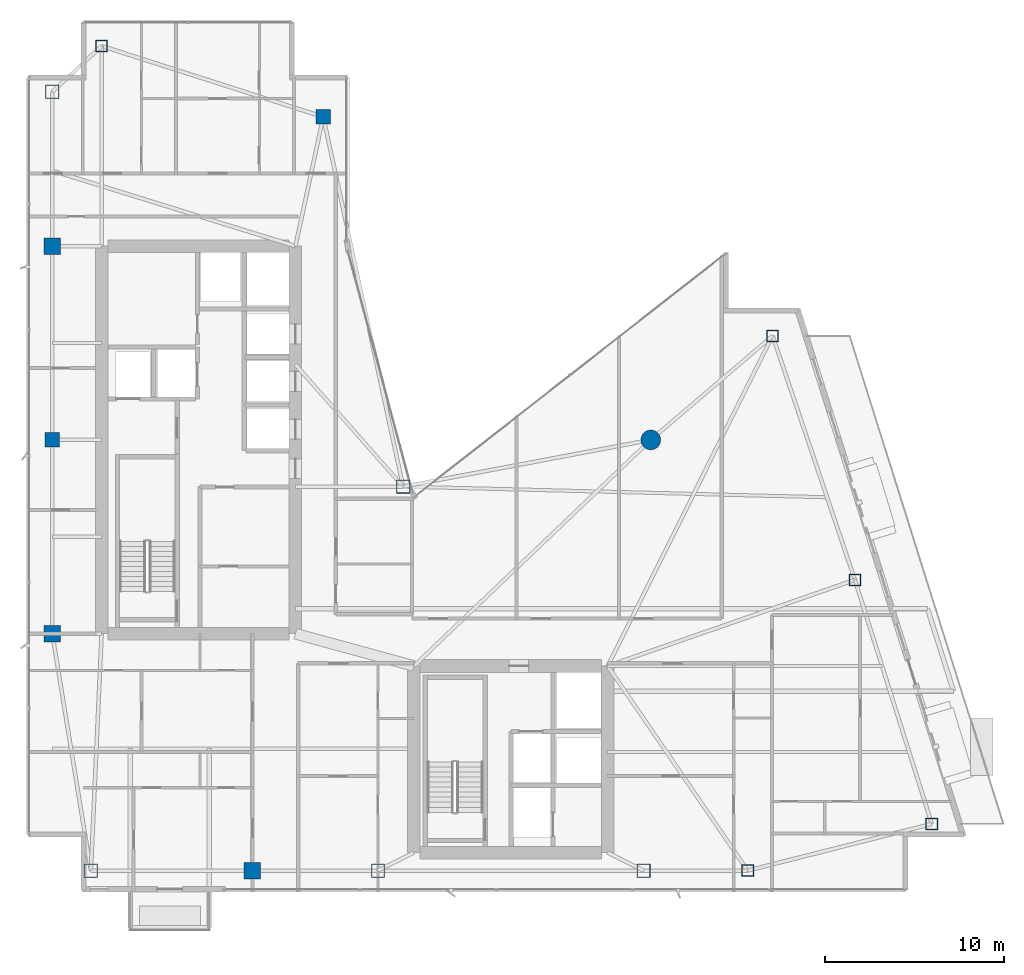
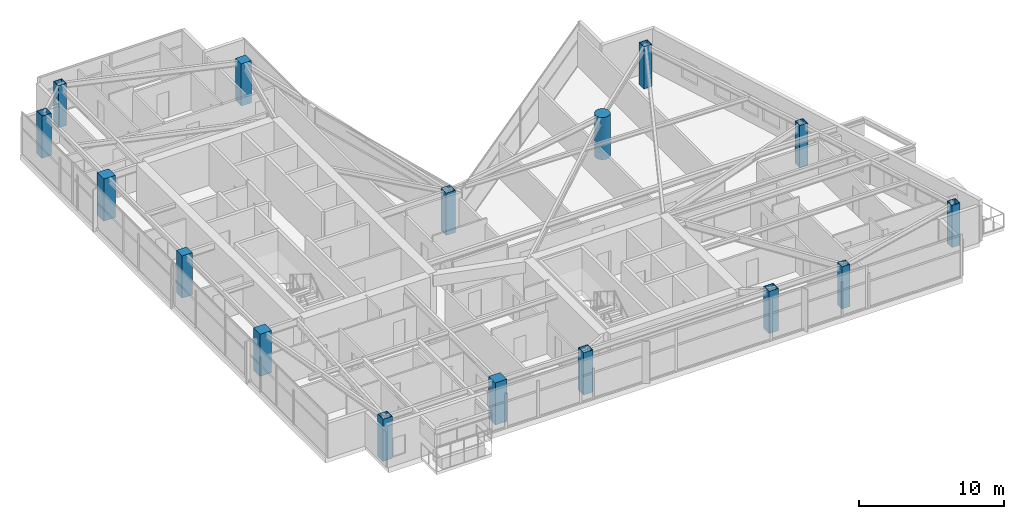
# One storey, part 1 of 29: 16 columns.
"""IFC4 building model written with IfcOpenShell, lengths in metres."""

from ifc_helpers import new_model, si_unit, direction, frame, origin, origin_2d, place, context, subcontext, project, spatial, rectangle, hollow_rectangle, circle, extrude, material, material_profile, profile_set, type_object, element, save


model = new_model("IFC4")

# Units and contexts
model_context = context("Model", 3, precision=1e-05, world=origin(), true_north=direction((0.0, 1.0)))
body_context = subcontext(model_context, "Body", "Model", "MODEL_VIEW")
ifc_project = project(units=[si_unit("LENGTHUNIT", "METRE"), si_unit("AREAUNIT", "SQUARE_METRE"), si_unit("VOLUMEUNIT", "CUBIC_METRE"), si_unit("PLANEANGLEUNIT", "RADIAN"), si_unit("MASSUNIT", "GRAM", prefix="KILO")], contexts=[model_context])

# Site, building, storey
site_placement = place(None, origin())
site = spatial("IfcSite", under=ifc_project, at=site_placement, CompositionType="ELEMENT")
building_placement = place(site_placement, origin())
building = spatial("IfcBuilding", under=site, at=building_placement, Name="Calvorn Quay Hotel", CompositionType="ELEMENT")
storey_placement = place(building_placement, frame((0.0, 0.0, 199.60009765625)))
storey = spatial("IfcBuildingStorey", under=building, at=storey_placement, Name="L49", CompositionType="ELEMENT", Elevation=199.60009765625)

# Columns
ifc_material_1 = material(Name="Concrete C45", Category="concrete")
ifc_material_profile_1 = material_profile(ifc_material_1, rectangle(XDim=0.800048828125, YDim=0.800048828125, at=origin_2d()), Name="RC800x800")
ifc_profile_set_1 = profile_set([ifc_material_profile_1], Name="Concrete C45")
column_type_1 = type_object("IfcColumnType", Name="COL-RC-800", PredefinedType="COLUMN", material=ifc_profile_set_1)
for number, where, z_axis, x_axis, name in (
    (1, (1.449951171875, 27.60009765625, 0.0), (0.0, 0.0, 1.0), (1.0, 0.0, 0.0), "Column C-W3 (L49)"),
    (2, (16.550048828125, 45.60009765625, 0.0), (0.0, 0.0, 1.0), (1.0, 0.0, 0.0), "Column C-IC1 (L49)"),
):
    element("IfcColumn", number, at=place(storey_placement, frame(where, z_axis=z_axis, x_axis=x_axis)), inside=storey, type_object=column_type_1, Name=name, PredefinedType="COLUMN", context=body_context, shape_type="SweptSolid", body=[
        extrude(rectangle(XDim=0.800048828125, YDim=0.800048828125, at=origin_2d()), origin(), (0.0, 0.0, 1.0), 3.559814453125),
    ])
ifc_material_2 = material(Name="Concrete C45", Category="concrete")
ifc_material_profile_2 = material_profile(ifc_material_2, rectangle(XDim=0.919921875, YDim=0.919921875, at=origin_2d()), Name="RC920x920")
ifc_profile_set_2 = profile_set([ifc_material_profile_2], Name="Concrete C45")
column_type_2 = type_object("IfcColumnType", Name="COL-RC-920", PredefinedType="COLUMN", material=ifc_profile_set_2)
for number, where, z_axis, x_axis, name in (
    (3, (1.449951171875, 16.800048828125, 0.0), (0.0, 0.0, 1.0), (1.0, 0.0, 0.0), "Column C-W2 (L49)"),
    (4, (1.449951171875, 38.39990234375, 0.0), (0.0, 0.0, 1.0), (1.0, 0.0, 0.0), "Column C-W4 (L49)"),
    (5, (12.60009765625, 3.60009765625, 0.0), (0.0, 0.0, 1.0), (1.0, 0.0, 0.0), "Column C-S1 (L49)"),
):
    element("IfcColumn", number, at=place(storey_placement, frame(where, z_axis=z_axis, x_axis=x_axis)), inside=storey, type_object=column_type_2, Name=name, PredefinedType="COLUMN", context=body_context, shape_type="SweptSolid", body=[
        extrude(rectangle(XDim=0.919921875, YDim=0.919921875, at=origin_2d()), origin(), (0.0, 0.0, 1.0), 3.559814453125),
    ])
ifc_material_3 = material(Name="Concrete C50", Category="concrete")
ifc_material_profile_3 = material_profile(ifc_material_3, circle(Radius=0.550048828125, at=origin_2d()), Name="RCD1100")
ifc_profile_set_3 = profile_set([ifc_material_profile_3], Name="Concrete C50")
column_type_3 = type_object("IfcColumnType", Name="COL-RC-D1100", PredefinedType="COLUMN", material=ifc_profile_set_3)
column_placement = place(storey_placement, frame((34.800048828125, 27.60009765625, 0.0), z_axis=(0.0, 0.0, 1.0), x_axis=(1.0, 0.0, 0.0)))
element("IfcColumn", 6, at=column_placement, inside=storey, type_object=column_type_3, Name="Column C-NC1 (L49)", PredefinedType="COLUMN", context=body_context, shape_type="SweptSolid", body=[
    extrude(circle(Radius=0.550048828125, at=origin_2d()), origin(), (0.0, 0.0, 1.0), 3.559814453125),
])
ifc_material_4 = material(Name="Steel Q390GJC", Category="steel")
ifc_material_profile_4 = material_profile(ifc_material_4, hollow_rectangle(XDim=0.75, YDim=0.75, WallThickness=0.031982421875, at=origin_2d()), Name="BOX750x750x32")
ifc_profile_set_4 = profile_set([ifc_material_profile_4], Name="Steel Q390GJC")
column_type_4 = type_object("IfcColumnType", Name="COL-STL-Z3", PredefinedType="COLUMN", material=ifc_profile_set_4)
for number, where, z_axis, x_axis, name in (
    (7, (3.60009765625, 3.60009765625, 0.0), (0.0, 0.0, 1.0), (1.0, 0.0, 0.0), "Column C-W1 (L49)"),
    (8, (1.449951171875, 47.0, 0.0), (0.0, 0.0, 1.0), (1.0, 0.0, 0.0), "Column C-W5 (L49)"),
    (9, (21.0, 25.0, 0.0), (0.0, 0.0, 1.0), (1.0, 0.0, 0.0), "Column C-IC2 (L49)"),
    (10, (19.60009765625, 3.60009765625, 0.0), (0.0, 0.0, 1.0), (1.0, 0.0, 0.0), "Column C-S2 (L49)"),
    (11, (34.39990234375, 3.60009765625, 0.0), (0.0, 0.0, 1.0), (1.0, 0.0, 0.0), "Column C-S3 (L49)"),
):
    element("IfcColumn", number, at=place(storey_placement, frame(where, z_axis=z_axis, x_axis=x_axis)), inside=storey, type_object=column_type_4, Name=name, PredefinedType="COLUMN", context=body_context, shape_type="SweptSolid", body=[
        extrude(hollow_rectangle(XDim=0.75, YDim=0.75, WallThickness=0.031982421875, at=origin_2d()), origin(), (0.0, 0.0, 1.0), 3.559814453125),
    ])
ifc_material_5 = material(Name="Steel Q355B", Category="steel")
ifc_material_profile_5 = material_profile(ifc_material_5, hollow_rectangle(XDim=0.64990234375, YDim=0.64990234375, WallThickness=0.028076171875, at=origin_2d()), Name="BOX650x650x28")
ifc_profile_set_5 = profile_set([ifc_material_profile_5], Name="Steel Q355B")
column_type_5 = type_object("IfcColumnType", Name="COL-STL-Z4", PredefinedType="COLUMN", material=ifc_profile_set_5)
for number, where, z_axis, x_axis, name in (
    (12, (4.199951171875, 49.550048828125, 0.0), (0.0, 0.0, 1.0), (1.0, 0.0, 0.0), "Column C-NW1 (L49)"),
    (13, (40.199951171875, 3.60009765625, 0.0), (0.0, 0.0, 1.0), (1.0, 0.0, 0.0), "Column C-S4 (L49)"),
    (14, (50.4609375, 6.199951171875, 0.0), (0.0, 0.0, 1.0), (1.0, 0.0, 0.0), "Column C-ET1 (L49)"),
    (15, (46.176025390625, 19.800048828125, 0.0), (0.0, 0.0, 1.0), (1.0, 0.0, 0.0), "Column C-ET2 (L49)"),
    (16, (41.591064453125, 33.39990234375, 0.0), (0.0, 0.0, 1.0), (1.0, 0.0, 0.0), "Column C-ET3 (L49)"),
):
    element("IfcColumn", number, at=place(storey_placement, frame(where, z_axis=z_axis, x_axis=x_axis)), inside=storey, type_object=column_type_5, Name=name, PredefinedType="COLUMN", context=body_context, shape_type="SweptSolid", body=[
        extrude(hollow_rectangle(XDim=0.64990234375, YDim=0.64990234375, WallThickness=0.028076171875, at=origin_2d()), origin(), (0.0, 0.0, 1.0), 3.559814453125),
    ])

save(model, "model.ifc")
